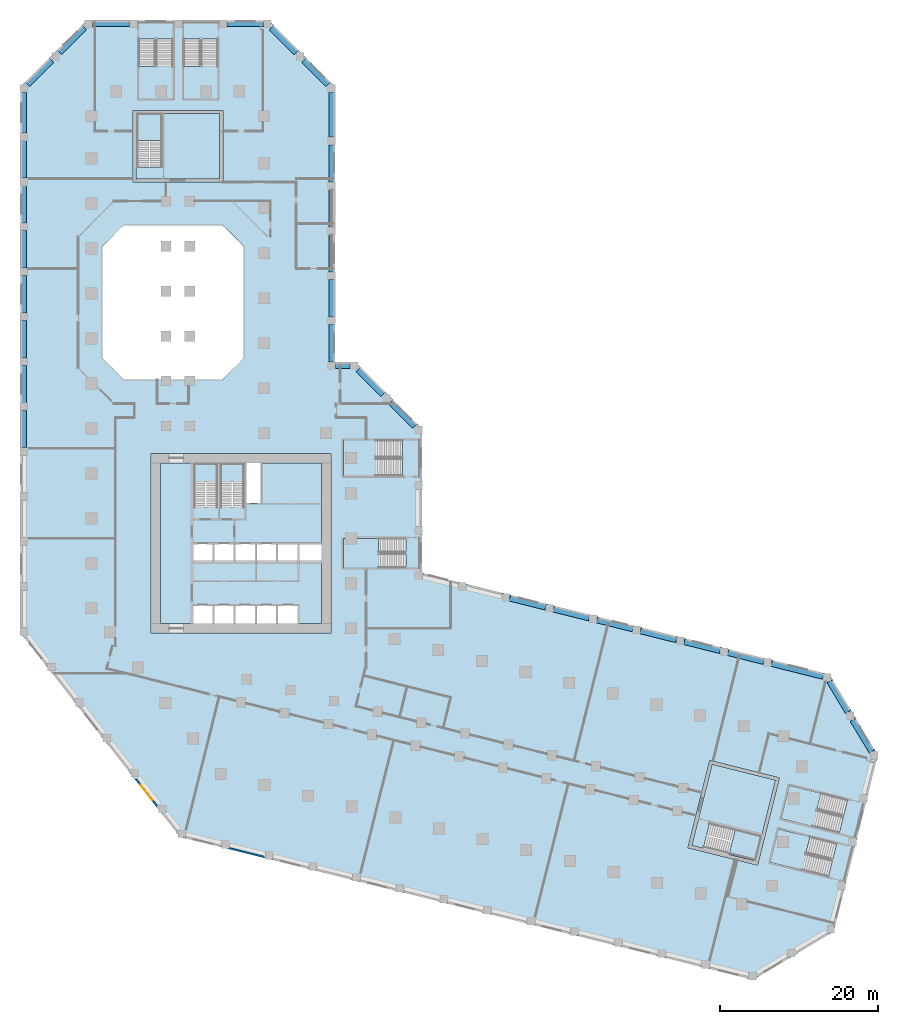
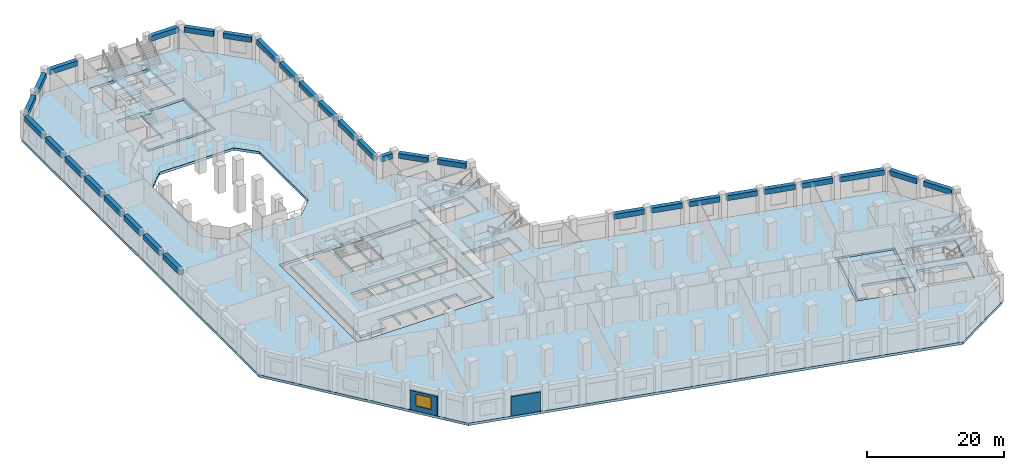
# One storey, part 2 of 16: 32 beams, 14 slabs, 2 walls, 1 window, 1 opening, 10 elements without a shape of their own.
"""IFC4 building model written with IfcOpenShell, lengths in metres."""

from ifc_helpers import new_model, si_unit, direction, frame, frame_2d, origin, origin_2d, place, context, subcontext, project, spatial, polyline, rectangle, outline, extrude, material, layer, layer_set, material_profile, profile_set, type_object, element, fill, aggregate, save


model = new_model("IFC4")

# Units and contexts
model_context = context("Model", 3, precision=1e-05, world=origin(), true_north=direction((0.0, 1.0)))
body_context = subcontext(model_context, "Body", "Model", "MODEL_VIEW")
ifc_project = project(units=[si_unit("LENGTHUNIT", "METRE"), si_unit("AREAUNIT", "SQUARE_METRE"), si_unit("VOLUMEUNIT", "CUBIC_METRE"), si_unit("PLANEANGLEUNIT", "RADIAN"), si_unit("MASSUNIT", "GRAM", prefix="KILO")], contexts=[model_context])

# Site, building, storey
site_placement = place(None, origin())
site = spatial("IfcSite", under=ifc_project, at=site_placement, CompositionType="ELEMENT")
building_placement = place(site_placement, origin())
building = spatial("IfcBuilding", under=site, at=building_placement, Name="Meshkara Civic Tower", CompositionType="ELEMENT")
storey_placement = place(building_placement, frame((0.0, 0.0, 18.60009765625)))
storey = spatial("IfcBuildingStorey", under=building, at=storey_placement, Name="L03", CompositionType="ELEMENT", Elevation=18.60009765625)

# Beams
ifc_material_1 = material(Name="Concrete C60", Category="concrete")
ifc_material_profile = material_profile(ifc_material_1, rectangle(XDim=0.699951171875, YDim=0.89990234375, at=origin_2d()))
ifc_profile_set = profile_set([ifc_material_profile], Name="Concrete C60")
beam_type = type_object("IfcBeamType", Name="Spandrel beam RC 700x900 C60", PredefinedType="BEAM", material=ifc_profile_set)
beam_1_placement = place(storey_placement, frame((30.403564453125, 83.652587890625, 3.89990234375), z_axis=(-0.707135193312, 0.707078367919, 0.0), x_axis=(-0.707078367919, -0.707135193312, 0.0)))
element("IfcBeam", 1, at=beam_1_placement, inside=storey, type_object=beam_type, Name="Spandrel beam PD12-E-PD13-01", PredefinedType="BEAM", context=body_context, shape_type="SweptSolid", body=[
    extrude(rectangle(XDim=0.699951171875, YDim=0.89990234375, at=origin_2d()), origin(), (0.0, 0.0, 1.0), 4.29638671875),
])
beam_2_placement = place(storey_placement, frame((26.37255859375, 87.68359375, 3.89990234375), z_axis=(-0.707134269933, 0.707079291371, 0.0), x_axis=(-0.707079291371, -0.707134269933, 0.0)))
element("IfcBeam", 2, at=beam_2_placement, inside=storey, type_object=beam_type, Name="Spandrel beam PD00-E-PD13-01", PredefinedType="BEAM", context=body_context, shape_type="SweptSolid", body=[
    extrude(rectangle(XDim=0.699951171875, YDim=0.89990234375, at=origin_2d()), origin(), (0.0, 0.0, 1.0), 4.440673828125),
])
beam_3_placement = place(storey_placement, frame((22.240966796875, 91.320068359375, 3.89990234375), z_axis=(-1.0, 0.0, 0.0), x_axis=(0.0, -1.0, 0.0)))
element("IfcBeam", 3, at=beam_3_placement, inside=storey, type_object=beam_type, Name="Spandrel beam PD00-03-PD00-E", PredefinedType="BEAM", context=body_context, shape_type="SweptSolid", body=[
    extrude(rectangle(XDim=0.699951171875, YDim=0.89990234375, at=origin_2d()), origin(), (0.0, 0.0, 1.0), 4.58203125),
])
beam_4_placement = place(storey_placement, frame((5.26904296875, 91.320068359375, 3.89990234375), z_axis=(-1.0, 0.0, 0.0), x_axis=(0.0, -1.0, 0.0)))
element("IfcBeam", 4, at=beam_4_placement, inside=storey, type_object=beam_type, Name="Spandrel beam PD00-00-PD00-01", PredefinedType="BEAM", context=body_context, shape_type="SweptSolid", body=[
    extrude(rectangle(XDim=0.699951171875, YDim=0.89990234375, at=origin_2d()), origin(), (0.0, 0.0, 1.0), 4.7099609375),
])
beam_5_placement = place(storey_placement, frame((-0.4326171875, 90.823486328125, 3.89990234375), z_axis=(-0.707106781187, -0.707106781187, 0.0), x_axis=(0.707106781187, -0.707106781187, 0.0)))
element("IfcBeam", 5, at=beam_5_placement, inside=storey, type_object=beam_type, Name="Spandrel beam PD00-00-PD01-01", PredefinedType="BEAM", context=body_context, shape_type="SweptSolid", body=[
    extrude(rectangle(XDim=0.699951171875, YDim=0.89990234375, at=origin_2d()), origin(), (0.0, 0.0, 1.0), 4.4404296875),
])
beam_6_placement = place(storey_placement, frame((-4.5654296875, 86.6904296875, 3.89990234375), z_axis=(-0.707135193312, -0.707078367919, 0.0), x_axis=(0.707078367919, -0.707135193312, 0.0)))
element("IfcBeam", 6, at=beam_6_placement, inside=storey, type_object=beam_type, Name="Spandrel beam PD01-00-PD01-01", PredefinedType="BEAM", context=body_context, shape_type="SweptSolid", body=[
    extrude(rectangle(XDim=0.699951171875, YDim=0.89990234375, at=origin_2d()), origin(), (0.0, 0.0, 1.0), 4.29638671875),
])
beam_7_placement = place(storey_placement, frame((-8.10009765625, 82.660888671875, 3.89990234375), z_axis=(0.0, -1.0, 0.0), x_axis=(1.0, 0.0, 0.0)))
element("IfcBeam", 7, at=beam_7_placement, inside=storey, type_object=beam_type, Name="Spandrel beam PD01-00-PD02-11", PredefinedType="BEAM", context=body_context, shape_type="SweptSolid", body=[
    extrude(rectangle(XDim=0.699951171875, YDim=0.89990234375, at=origin_2d()), origin(), (0.0, 0.0, 1.0), 5.15478515625),
])
beam_8_placement = place(storey_placement, frame((-8.10009765625, 76.51611328125, 3.89990234375), z_axis=(0.0, -1.0, 0.0), x_axis=(1.0, 0.0, 0.0)))
element("IfcBeam", 8, at=beam_8_placement, inside=storey, type_object=beam_type, Name="Spandrel beam PD02-10-PD02-11", PredefinedType="BEAM", context=body_context, shape_type="SweptSolid", body=[
    extrude(rectangle(XDim=0.699951171875, YDim=0.89990234375, at=origin_2d()), origin(), (0.0, 0.0, 1.0), 4.710205078125),
])
for number, where, z_axis, x_axis, name in (
    (9, (-8.10009765625, 70.81591796875, 3.89990234375), (0.0, -1.0, 0.0), (1.0, 0.0, 0.0), "Spandrel beam PD02-09-PD02-10"),
    (10, (-8.10009765625, 65.115966796875, 3.89990234375), (0.0, -1.0, 0.0), (1.0, 0.0, 0.0), "Spandrel beam PD02-08-PD02-09"),
    (11, (-8.10009765625, 59.416015625, 3.89990234375), (0.0, -1.0, 0.0), (1.0, 0.0, 0.0), "Spandrel beam PD02-07-PD02-08"),
    (12, (-8.10009765625, 53.716064453125, 3.89990234375), (0.0, -1.0, 0.0), (1.0, 0.0, 0.0), "Spandrel beam PD02-06-PD02-07"),
):
    element("IfcBeam", number, at=place(storey_placement, frame(where, z_axis=z_axis, x_axis=x_axis)), inside=storey, type_object=beam_type, Name=name, PredefinedType="BEAM", context=body_context, shape_type="SweptSolid", body=[
        extrude(rectangle(XDim=0.699951171875, YDim=0.89990234375, at=origin_2d()), origin(), (0.0, 0.0, 1.0), 4.7099609375),
    ])
beam_9_placement = place(storey_placement, frame((-8.10009765625, 48.01611328125, 3.89990234375), z_axis=(0.0, -1.0, 0.0), x_axis=(1.0, 0.0, 0.0)))
element("IfcBeam", 13, at=beam_9_placement, inside=storey, type_object=beam_type, Name="Spandrel beam PD02-05-PD02-06", PredefinedType="BEAM", context=body_context, shape_type="SweptSolid", body=[
    extrude(rectangle(XDim=0.699951171875, YDim=0.89990234375, at=origin_2d()), origin(), (0.0, 0.0, 1.0), 4.710205078125),
])
beam_10_placement = place(storey_placement, frame((-8.10009765625, 42.31591796875, 3.89990234375), z_axis=(0.0, -1.0, 0.0), x_axis=(1.0, 0.0, 0.0)))
element("IfcBeam", 14, at=beam_10_placement, inside=storey, type_object=beam_type, Name="Spandrel beam PD02-04-PD02-05", PredefinedType="BEAM", context=body_context, shape_type="SweptSolid", body=[
    extrude(rectangle(XDim=0.699951171875, YDim=0.89990234375, at=origin_2d()), origin(), (0.0, 0.0, 1.0), 4.7099609375),
])
beam_11_placement = place(storey_placement, frame((99.340087890625, -0.915283203125, 3.89990234375), z_axis=(-0.515169292752, 0.857088443398, 0.0), x_axis=(-0.857088443398, -0.515169292752, 0.0)))
element("IfcBeam", 15, at=beam_11_placement, inside=storey, type_object=beam_type, Name="Spandrel beam PD06-E-PD07-01", PredefinedType="BEAM", context=body_context, shape_type="SweptSolid", body=[
    extrude(rectangle(XDim=0.699951171875, YDim=0.89990234375, at=origin_2d()), origin(), (0.0, 0.0, 1.0), 4.689697265625),
])
beam_12_placement = place(storey_placement, frame((96.328125, 4.095703125, 3.89990234375), z_axis=(-0.515175277931, 0.857084845863, 0.0), x_axis=(-0.857084845863, -0.515175277931, 0.0)))
element("IfcBeam", 16, at=beam_12_placement, inside=storey, type_object=beam_type, Name="Spandrel beam PD07-00-PD07-01", PredefinedType="BEAM", context=body_context, shape_type="SweptSolid", body=[
    extrude(rectangle(XDim=0.699951171875, YDim=0.89990234375, at=origin_2d()), origin(), (0.0, 0.0, 1.0), 4.542724609375),
])
beam_13_placement = place(storey_placement, frame((93.19482421875, 8.6083984375, 3.89990234375), z_axis=(-0.97029537184, 0.24192331716, 0.0), x_axis=(-0.24192331716, -0.97029537184, 0.0)))
element("IfcBeam", 17, at=beam_13_placement, inside=storey, type_object=beam_type, Name="Spandrel beam PD07-00-PD08-08", PredefinedType="BEAM", context=body_context, shape_type="SweptSolid", body=[
    extrude(rectangle(XDim=0.699951171875, YDim=0.89990234375, at=origin_2d()), origin(), (0.0, 0.0, 1.0), 6.75537109375),
])
beam_14_placement = place(storey_placement, frame((85.64990234375, 10.489501953125, 3.89990234375), z_axis=(-0.970286590806, 0.241958533023, 0.0), x_axis=(-0.241958533023, -0.970286590806, 0.0)))
element("IfcBeam", 18, at=beam_14_placement, inside=storey, type_object=beam_type, Name="Spandrel beam PD08-07-PD08-08", PredefinedType="BEAM", context=body_context, shape_type="SweptSolid", body=[
    extrude(rectangle(XDim=0.699951171875, YDim=0.89990234375, at=origin_2d()), origin(), (0.0, 0.0, 1.0), 4.6787109375),
])
beam_15_placement = place(storey_placement, frame((80.119873046875, 11.868408203125, 3.89990234375), z_axis=(-0.970298806378, 0.241909541651, 0.0), x_axis=(-0.241909541651, -0.970298806378, 0.0)))
element("IfcBeam", 19, at=beam_15_placement, inside=storey, type_object=beam_type, Name="Spandrel beam PD08-06-PD08-07", PredefinedType="BEAM", context=body_context, shape_type="SweptSolid", body=[
    extrude(rectangle(XDim=0.699951171875, YDim=0.89990234375, at=origin_2d()), origin(), (0.0, 0.0, 1.0), 4.6796875),
])
beam_16_placement = place(storey_placement, frame((74.5888671875, 13.24755859375, 3.89990234375), z_axis=(-0.970249807203, 0.242105992539, 0.0), x_axis=(-0.242105992539, -0.970249807203, 0.0)))
element("IfcBeam", 20, at=beam_16_placement, inside=storey, type_object=beam_type, Name="Spandrel beam PD08-05-PD08-06", PredefinedType="BEAM", context=body_context, shape_type="SweptSolid", body=[
    extrude(rectangle(XDim=0.699951171875, YDim=0.89990234375, at=origin_2d()), origin(), (0.0, 0.0, 1.0), 4.679931640625),
])
beam_17_placement = place(storey_placement, frame((69.057861328125, 14.62744140625, 3.89990234375), z_axis=(-0.970286590806, 0.241958533023, 0.0), x_axis=(-0.241958533023, -0.970286590806, 0.0)))
element("IfcBeam", 21, at=beam_17_placement, inside=storey, type_object=beam_type, Name="Spandrel beam PD08-04-PD08-05", PredefinedType="BEAM", context=body_context, shape_type="SweptSolid", body=[
    extrude(rectangle(XDim=0.699951171875, YDim=0.89990234375, at=origin_2d()), origin(), (0.0, 0.0, 1.0), 4.6787109375),
])
for number, where, z_axis, x_axis, name in (
    (22, (63.52783203125, 16.006591796875, 3.89990234375), (-0.970311050729, 0.24186042428, 0.0), (-0.24186042428, -0.970311050729, 0.0), "Spandrel beam PD08-03-PD08-04"),
    (23, (57.996826171875, 17.385498046875, 3.89990234375), (-0.970298806378, 0.241909541651, 0.0), (-0.241909541651, -0.970298806378, 0.0), "Spandrel beam PD08-02-PD08-03"),
):
    element("IfcBeam", number, at=place(storey_placement, frame(where, z_axis=z_axis, x_axis=x_axis)), inside=storey, type_object=beam_type, Name=name, PredefinedType="BEAM", context=body_context, shape_type="SweptSolid", body=[
        extrude(rectangle(XDim=0.699951171875, YDim=0.89990234375, at=origin_2d()), origin(), (0.0, 0.0, 1.0), 4.6796875),
    ])
beam_18_placement = place(storey_placement, frame((41.403564453125, 40.33251953125, 3.89990234375), z_axis=(-0.707106781187, 0.707106781187, 0.0), x_axis=(-0.707106781187, -0.707106781187, 0.0)))
element("IfcBeam", 24, at=beam_18_placement, inside=storey, type_object=beam_type, Name="Spandrel beam PD09-E-PD10-01", PredefinedType="BEAM", context=body_context, shape_type="SweptSolid", body=[
    extrude(rectangle(XDim=0.699951171875, YDim=0.89990234375, at=origin_2d()), origin(), (0.0, 0.0, 1.0), 4.29638671875),
])
beam_19_placement = place(storey_placement, frame((37.37255859375, 44.363525390625, 3.89990234375), z_axis=(-0.707134269933, 0.707079291371, 0.0), x_axis=(-0.707079291371, -0.707134269933, 0.0)))
element("IfcBeam", 25, at=beam_19_placement, inside=storey, type_object=beam_type, Name="Spandrel beam PD10-01-PD10-E", PredefinedType="BEAM", context=body_context, shape_type="SweptSolid", body=[
    extrude(rectangle(XDim=0.699951171875, YDim=0.89990234375, at=origin_2d()), origin(), (0.0, 0.0, 1.0), 4.440673828125),
])
beam_20_placement = place(storey_placement, frame((33.240966796875, 48.0, 3.89990234375), z_axis=(-1.0, 0.0, 0.0), x_axis=(0.0, -1.0, 0.0)))
element("IfcBeam", 26, at=beam_20_placement, inside=storey, type_object=beam_type, Name="Spandrel beam PD10-E-PD11-00", PredefinedType="BEAM", context=body_context, shape_type="SweptSolid", body=[
    extrude(rectangle(XDim=0.699951171875, YDim=0.89990234375, at=origin_2d()), origin(), (0.0, 0.0, 1.0), 1.845947265625),
])
for number, where, z_axis, x_axis, name in (
    (27, (30.89990234375, 48.4951171875, 3.89990234375), (0.0, 1.0, 0.0), (-1.0, 0.0, 0.0), "Spandrel beam PD11-00-PD12-01"),
    (28, (30.89990234375, 54.195068359375, 3.89990234375), (0.0, 1.0, 0.0), (-1.0, 0.0, 0.0), "Spandrel beam PD12-01-PD12-02"),
    (29, (30.89990234375, 59.89501953125, 3.89990234375), (0.0, 1.0, 0.0), (-1.0, 0.0, 0.0), "Spandrel beam PD12-02-PD12-03"),
    (30, (30.89990234375, 65.594970703125, 3.89990234375), (0.0, 1.0, 0.0), (-1.0, 0.0, 0.0), "Spandrel beam PD12-03-PD12-04"),
    (31, (30.89990234375, 71.294921875, 3.89990234375), (0.0, 1.0, 0.0), (-1.0, 0.0, 0.0), "Spandrel beam PD12-04-PD12-05"),
):
    element("IfcBeam", number, at=place(storey_placement, frame(where, z_axis=z_axis, x_axis=x_axis)), inside=storey, type_object=beam_type, Name=name, PredefinedType="BEAM", context=body_context, shape_type="SweptSolid", body=[
        extrude(rectangle(XDim=0.699951171875, YDim=0.89990234375, at=origin_2d()), origin(), (0.0, 0.0, 1.0), 4.7099609375),
    ])
beam_21_placement = place(storey_placement, frame((30.89990234375, 76.9951171875, 3.89990234375), z_axis=(0.0, 1.0, 0.0), x_axis=(-1.0, 0.0, 0.0)))
element("IfcBeam", 32, at=beam_21_placement, inside=storey, type_object=beam_type, Name="Spandrel beam PD12-05-PD12-E", PredefinedType="BEAM", context=body_context, shape_type="SweptSolid", body=[
    extrude(rectangle(XDim=0.699951171875, YDim=0.89990234375, at=origin_2d()), origin(), (0.0, 0.0, 1.0), 5.665771484375),
])

# Slabs
ifc_material_2 = material(Name="Concrete C40/50", Category="concrete")
ifc_layer_1 = layer(ifc_material_2, 0.449951171875)
ifc_layer_set_1 = layer_set([ifc_layer_1], Name="Core floor slab 450 C40/50")
slab_type_1 = type_object("IfcSlabType", Name="Core floor slab 450 C40/50", PredefinedType="FLOOR", material=ifc_layer_set_1)
slab_1_placement = place(storey_placement, frame((0.0, 0.0, -0.4501953125)))
element("IfcSlab", 33, at=slab_1_placement, inside=storey, type_object=slab_type_1, Name="Core floor K", PredefinedType="FLOOR", context=body_context, shape_type="SweptSolid", body=[
    extrude(outline(polyline([(9.199951171875, 35.699951171875), (13.39990234375, 35.699951171875), (13.39990234375, 30.00146484375), (16.5, 30.00146484375), (16.5, 35.699951171875), (16.699951171875, 35.699951171875), (16.699951171875, 30.00146484375), (19.89990234375, 30.00146484375), (19.89990234375, 35.699951171875), (20.10009765625, 35.699951171875), (20.10009765625, 30.574951171875), (21.925048828125, 30.574951171875), (21.925048828125, 35.699951171875), (29.60009765625, 35.699951171875), (29.60009765625, 25.39990234375), (26.800048828125, 25.39990234375), (26.800048828125, 23.300048828125), (29.60009765625, 23.300048828125), (29.60009765625, 15.300048828125), (26.60009765625, 15.300048828125), (26.60009765625, 17.60009765625), (24.10009765625, 17.60009765625), (24.10009765625, 15.300048828125), (23.89990234375, 15.300048828125), (23.89990234375, 17.60009765625), (21.39990234375, 17.60009765625), (21.39990234375, 15.300048828125), (21.199951171875, 15.300048828125), (21.199951171875, 17.60009765625), (18.699951171875, 17.60009765625), (18.699951171875, 15.300048828125), (18.5, 15.300048828125), (18.5, 17.60009765625), (16.0, 17.60009765625), (16.0, 15.300048828125), (15.800048828125, 15.300048828125), (15.800048828125, 17.60009765625), (13.39990234375, 17.60009765625), (13.39990234375, 15.300048828125), (9.199951171875, 15.300048828125), (9.199951171875, 35.699951171875)]), holes=[polyline([(13.39990234375, 25.39990234375), (13.39990234375, 23.300048828125), (15.800048828125, 23.300048828125), (15.800048828125, 25.39990234375), (13.39990234375, 25.39990234375)]), polyline([(18.5, 23.300048828125), (18.5, 25.39990234375), (16.0, 25.39990234375), (16.0, 23.300048828125), (18.5, 23.300048828125)]), polyline([(18.699951171875, 25.39990234375), (18.699951171875, 23.300048828125), (21.199951171875, 23.300048828125), (21.199951171875, 25.39990234375), (18.699951171875, 25.39990234375)]), polyline([(21.39990234375, 23.300048828125), (23.89990234375, 23.300048828125), (23.89990234375, 25.39990234375), (21.39990234375, 25.39990234375), (21.39990234375, 23.300048828125)]), polyline([(26.60009765625, 25.39990234375), (24.10009765625, 25.39990234375), (24.10009765625, 23.300048828125), (26.60009765625, 23.300048828125), (26.60009765625, 25.39990234375)])]), origin(), (0.0, 0.0, 1.0), 0.4501953125),
])
slab_2_placement = place(storey_placement, frame((0.0, 0.0, -0.4501953125)))
element("IfcSlab", 34, at=slab_2_placement, inside=storey, type_object=slab_type_1, Name="Core floor EA", PredefinedType="FLOOR", context=body_context, shape_type="SweptSolid", body=[
    extrude(outline(polyline([(16.699951171875, 71.669921875), (16.699951171875, 79.969970703125), (9.5, 79.969970703125), (9.5, 73.17138671875), (6.10009765625, 73.17138671875), (6.10009765625, 71.669921875), (16.699951171875, 71.669921875)])), origin(), (0.0, 0.0, 1.0), 0.4501953125),
])
slab_3_placement = place(storey_placement, frame((0.0, 0.0, -0.4501953125)))
element("IfcSlab", 35, at=slab_3_placement, inside=storey, type_object=slab_type_1, Name="Core floor EB", PredefinedType="FLOOR", context=body_context, shape_type="SweptSolid", body=[
    extrude(outline(polyline([(79.11181640625, -2.513671875), (87.165283203125, -4.521484375), (85.423583984375, -11.507568359375), (78.826904296875, -9.863037109375), (78.00439453125, -13.161865234375), (76.547607421875, -12.798583984375), (79.11181640625, -2.513671875)])), origin(), (0.0, 0.0, 1.0), 0.4501953125),
])

# Stair, slab
ifc_material_3 = material(Name="Precast concrete C40/50", Category="concrete")
stair_type_1 = type_object("IfcStairType", Name="Exit stair half-turn 26 risers precast", PredefinedType="HALF_TURN_STAIR", material=ifc_material_3)
stair_1_placement = place(storey_placement, origin())
stair_1 = element("IfcStair", 36, at=stair_1_placement, inside=storey, type_object=stair_type_1, Name="L03 exit stair 1", PredefinedType="HALF_TURN_STAIR")
ifc_material_4 = material(Name="Precast concrete C40/50", Category="concrete")
ifc_layer_2 = layer(ifc_material_4, 0.199951171875)
ifc_layer_set_2 = layer_set([ifc_layer_2], Name="Exit stair landing 200")
slab_type_2 = type_object("IfcSlabType", Name="Exit stair landing 200", PredefinedType="LANDING", material=ifc_layer_set_2)
slab_4_placement = place(storey_placement, frame((0.0, 0.0, 2.199951171875)))
slab_4 = element("IfcSlab", 37, at=slab_4_placement, type_object=slab_type_2, Name="ST1 landing 1", PredefinedType="LANDING", context=body_context, shape_type="SweptSolid", body=[
    extrude(outline(polyline([(16.5, 33.3583984375), (16.5, 35.699951171875), (13.39990234375, 35.699951171875), (13.39990234375, 33.3583984375), (16.5, 33.3583984375)])), origin(), (0.0, 0.0, 1.0), 0.199951171875),
])
aggregate(stair_1, [slab_4])

stair_2_placement = place(storey_placement, origin())
stair_2 = element("IfcStair", 38, at=stair_2_placement, inside=storey, type_object=stair_type_1, Name="L03 exit stair 2", PredefinedType="HALF_TURN_STAIR")
slab_5_placement = place(storey_placement, frame((0.0, 0.0, 2.199951171875)))
slab_5 = element("IfcSlab", 39, at=slab_5_placement, type_object=slab_type_2, Name="ST2 landing 1", PredefinedType="LANDING", context=body_context, shape_type="SweptSolid", body=[
    extrude(outline(polyline([(19.89990234375, 33.3583984375), (19.89990234375, 35.699951171875), (16.699951171875, 35.699951171875), (16.699951171875, 33.3583984375), (19.89990234375, 33.3583984375)])), origin(), (0.0, 0.0, 1.0), 0.199951171875),
])
aggregate(stair_2, [slab_5])

ifc_material_5 = material(Name="Precast concrete C40/50", Category="concrete")
stair_type_2 = type_object("IfcStairType", Name="Exit stair half-turn 26 risers 1500 precast", PredefinedType="HALF_TURN_STAIR", material=ifc_material_5)
stair_3_placement = place(storey_placement, origin())
stair_3 = element("IfcStair", 40, at=stair_3_placement, inside=storey, type_object=stair_type_2, Name="L03 exit stair A from B2", PredefinedType="HALF_TURN_STAIR")
slab_6_placement = place(storey_placement, frame((0.0, 0.0, 2.199951171875)))
slab_6 = element("IfcSlab", 41, at=slab_6_placement, type_object=slab_type_2, Name="ESA1 landing 1", PredefinedType="LANDING", context=body_context, shape_type="SweptSolid", body=[
    extrude(outline(polyline([(9.5, 76.528564453125), (9.5, 79.969970703125), (6.10009765625, 79.969970703125), (6.10009765625, 76.528564453125), (9.5, 76.528564453125)])), origin(), (0.0, 0.0, 1.0), 0.199951171875),
])
aggregate(stair_3, [slab_6])

stair_4_placement = place(storey_placement, origin())
stair_4 = element("IfcStair", 42, at=stair_4_placement, inside=storey, type_object=stair_type_2, Name="L03 exit stair B from B2", PredefinedType="HALF_TURN_STAIR")
slab_7_placement = place(storey_placement, frame((0.0, 0.0, 2.199951171875)))
slab_7 = element("IfcSlab", 43, at=slab_7_placement, type_object=slab_type_2, Name="ESB1 landing 1", PredefinedType="LANDING", context=body_context, shape_type="SweptSolid", body=[
    extrude(outline(polyline([(81.261474609375, -13.974853515625), (84.600830078125, -14.80810546875), (85.424072265625, -11.50830078125), (82.084716796875, -10.675048828125), (81.261474609375, -13.974853515625)])), origin(), (0.0, 0.0, 1.0), 0.199951171875),
])
aggregate(stair_4, [slab_7])

# Slab
ifc_material_6 = material(Name="Concrete C50", Category="concrete")
ifc_layer_3 = layer(ifc_material_6, 0.449951171875)
ifc_layer_set_3 = layer_set([ifc_layer_3], Name="Podium floor slab 450 C50")
slab_type_3 = type_object("IfcSlabType", Name="Podium floor slab 450 C50", PredefinedType="FLOOR", material=ifc_layer_set_3)
slab_8_placement = place(storey_placement, frame((0.0, 0.0, -0.4501953125)))
element("IfcSlab", 44, at=slab_8_placement, inside=storey, type_object=slab_type_3, Name="Podium floor slab L03", PredefinedType="FLOOR", context=body_context, shape_type="SweptSolid", body=[
    extrude(outline(polyline([(33.922119140625, 48.449951171875), (42.35009765625, 40.02197265625), (42.35009765625, 21.7509765625), (93.97998046875, 8.876953125), (100.1201171875, -1.339111328125), (94.544921875, -23.697998046875), (84.327880859375, -29.8369140625), (11.6669921875, -11.720947265625), (-8.550048828125, 14.156005859375), (-8.550048828125, 83.342041015625), (-0.1220703125, 91.77001953125), (22.922119140625, 91.77001953125), (31.35009765625, 83.342041015625), (31.35009765625, 48.449951171875), (33.922119140625, 48.449951171875)]), holes=[polyline([(30.800048828125, 14.10009765625), (30.800048828125, 36.89990234375), (8.0, 36.89990234375), (8.0, 14.10009765625), (30.800048828125, 14.10009765625)]), polyline([(1.800048828125, 48.943115234375), (4.54296875, 46.199951171875), (17.056884765625, 46.199951171875), (19.800048828125, 48.943115234375), (19.800048828125, 63.10693359375), (17.056884765625, 65.85009765625), (4.54296875, 65.85009765625), (1.800048828125, 63.10693359375), (1.800048828125, 48.943115234375)]), polyline([(5.699951171875, 80.3701171875), (5.699951171875, 71.27001953125), (17.10009765625, 71.27001953125), (17.10009765625, 80.3701171875), (5.699951171875, 80.3701171875)]), polyline([(10.784912109375, 81.821044921875), (10.784912109375, 89.4189453125), (6.43505859375, 89.4189453125), (6.43505859375, 81.821044921875), (10.784912109375, 81.821044921875)]), polyline([(16.485107421875, 89.4189453125), (12.135009765625, 89.4189453125), (12.135009765625, 81.821044921875), (16.485107421875, 81.821044921875), (16.485107421875, 89.4189453125)]), polyline([(86.477783203125, -14.929443359375), (93.85009765625, -16.767578125), (94.90234375, -12.546630859375), (87.530029296875, -10.70849609375), (86.477783203125, -14.929443359375)]), polyline([(87.64990234375, -4.22998046875), (78.821044921875, -2.029052734375), (76.06298828125, -13.090087890625), (84.89208984375, -15.2919921875), (87.64990234375, -4.22998046875)]), polyline([(87.856689453125, -9.3984375), (95.22900390625, -11.236572265625), (96.281494140625, -7.015625), (88.9091796875, -5.177490234375), (87.856689453125, -9.3984375)]), polyline([(32.40087890625, 22.375), (40.299072265625, 22.375), (40.299072265625, 26.125), (32.40087890625, 26.125), (32.40087890625, 22.375)]), polyline([(32.40087890625, 34.02490234375), (39.89892578125, 34.02490234375), (39.89892578125, 38.574951171875), (32.40087890625, 38.574951171875), (32.40087890625, 34.02490234375)])]), origin(), (0.0, 0.0, 1.0), 0.4501953125),
])

# Stair, slab
ifc_material_7 = material(Name="Precast concrete C40/50", Category="concrete")
stair_type_3 = type_object("IfcStairType", Name="Podium exit stair half-turn 26 risers 2100 wide precast", PredefinedType="HALF_TURN_STAIR", material=ifc_material_7)
stair_5_placement = place(storey_placement, origin())
stair_5 = element("IfcStair", 45, at=stair_5_placement, inside=storey, type_object=stair_type_3, Name="L03 podium exit stair PS1", PredefinedType="HALF_TURN_STAIR")
ifc_material_8 = material(Name="Precast concrete C40/50", Category="concrete")
ifc_layer_4 = layer(ifc_material_8, 0.199951171875)
ifc_layer_set_4 = layer_set([ifc_layer_4], Name="Podium stair landing 200")
slab_type_4 = type_object("IfcSlabType", Name="Podium stair landing 200", PredefinedType="LANDING", material=ifc_layer_set_4)
slab_9_placement = place(storey_placement, frame((0.0, 0.0, 2.199951171875)))
slab_9 = element("IfcSlab", 46, at=slab_9_placement, type_object=slab_type_4, Name="PS1 landing 1", PredefinedType="LANDING", context=body_context, shape_type="SweptSolid", body=[
    extrude(outline(polyline([(10.784912109375, 81.81005859375), (6.43505859375, 81.81005859375), (6.43505859375, 85.949951171875), (8.68505859375, 85.949951171875), (8.68505859375, 86.93994140625), (10.784912109375, 86.93994140625), (10.784912109375, 81.81005859375)])), origin(), (0.0, 0.0, 1.0), 0.199951171875),
])
aggregate(stair_5, [slab_9])

stair_6_placement = place(storey_placement, origin())
stair_6 = element("IfcStair", 47, at=stair_6_placement, inside=storey, type_object=stair_type_3, Name="L03 podium exit stair PS2", PredefinedType="HALF_TURN_STAIR")
slab_10_placement = place(storey_placement, frame((0.0, 0.0, 2.199951171875)))
slab_10 = element("IfcSlab", 48, at=slab_10_placement, type_object=slab_type_4, Name="PS2 landing 1", PredefinedType="LANDING", context=body_context, shape_type="SweptSolid", body=[
    extrude(outline(polyline([(16.485107421875, 81.81005859375), (12.135009765625, 81.81005859375), (12.135009765625, 85.949951171875), (14.385009765625, 85.949951171875), (14.385009765625, 86.93994140625), (16.485107421875, 86.93994140625), (16.485107421875, 81.81005859375)])), origin(), (0.0, 0.0, 1.0), 0.199951171875),
])
aggregate(stair_6, [slab_10])

stair_7_placement = place(storey_placement, origin())
stair_7 = element("IfcStair", 49, at=stair_7_placement, inside=storey, type_object=stair_type_3, Name="L03 podium exit stair PS3", PredefinedType="HALF_TURN_STAIR")
slab_11_placement = place(storey_placement, frame((0.0, 0.0, 2.199951171875)))
slab_11 = element("IfcSlab", 50, at=slab_11_placement, type_object=slab_type_4, Name="PS3 landing 1", PredefinedType="LANDING", context=body_context, shape_type="SweptSolid", body=[
    extrude(outline(polyline([(91.95263671875, -14.130126953125), (91.444580078125, -16.167724609375), (86.467041015625, -14.9267578125), (87.519287109375, -10.705810546875), (91.53662109375, -11.70751953125), (90.9921875, -13.890625), (91.95263671875, -14.130126953125)])), origin(), (0.0, 0.0, 1.0), 0.199951171875),
])
aggregate(stair_7, [slab_11])

stair_8_placement = place(storey_placement, origin())
stair_8 = element("IfcStair", 51, at=stair_8_placement, inside=storey, type_object=stair_type_3, Name="L03 podium exit stair PS4", PredefinedType="HALF_TURN_STAIR")
slab_12_placement = place(storey_placement, frame((0.0, 0.0, 2.199951171875)))
slab_12 = element("IfcSlab", 52, at=slab_12_placement, type_object=slab_type_4, Name="PS4 landing 1", PredefinedType="LANDING", context=body_context, shape_type="SweptSolid", body=[
    extrude(outline(polyline([(93.331787109375, -8.59912109375), (92.82373046875, -10.63671875), (87.84619140625, -9.395751953125), (88.8984375, -5.1748046875), (92.91552734375, -6.176513671875), (92.37109375, -8.359619140625), (93.331787109375, -8.59912109375)])), origin(), (0.0, 0.0, 1.0), 0.199951171875),
])
aggregate(stair_8, [slab_12])

ifc_material_9 = material(Name="Precast concrete C40/50", Category="concrete")
stair_type_4 = type_object("IfcStairType", Name="Podium exit stair half-turn 26 risers 1800 wide precast", PredefinedType="HALF_TURN_STAIR", material=ifc_material_9)
stair_9_placement = place(storey_placement, origin())
stair_9 = element("IfcStair", 53, at=stair_9_placement, inside=storey, type_object=stair_type_4, Name="L03 podium exit stair PS5", PredefinedType="HALF_TURN_STAIR")
slab_13_placement = place(storey_placement, frame((0.0, 0.0, 2.199951171875)))
slab_13 = element("IfcSlab", 54, at=slab_13_placement, type_object=slab_type_4, Name="PS5 landing 1", PredefinedType="LANDING", context=body_context, shape_type="SweptSolid", body=[
    extrude(outline(polyline([(37.820068359375, 24.175048828125), (37.820068359375, 22.375), (32.389892578125, 22.375), (32.389892578125, 26.125), (36.830078125, 26.125), (36.830078125, 24.175048828125), (37.820068359375, 24.175048828125)])), origin(), (0.0, 0.0, 1.0), 0.199951171875),
])
aggregate(stair_9, [slab_13])

ifc_material_10 = material(Name="Precast concrete C40/50", Category="concrete")
stair_type_5 = type_object("IfcStairType", Name="Podium exit stair half-turn 26 risers 2200 wide precast", PredefinedType="HALF_TURN_STAIR", material=ifc_material_10)
stair_10_placement = place(storey_placement, origin())
stair_10 = element("IfcStair", 55, at=stair_10_placement, inside=storey, type_object=stair_type_5, Name="L03 podium exit stair PS6", PredefinedType="HALF_TURN_STAIR")
slab_14_placement = place(storey_placement, frame((0.0, 0.0, 2.199951171875)))
slab_14 = element("IfcSlab", 56, at=slab_14_placement, type_object=slab_type_4, Name="PS6 landing 1", PredefinedType="LANDING", context=body_context, shape_type="SweptSolid", body=[
    extrude(outline(polyline([(37.419921875, 36.22509765625), (37.419921875, 34.02490234375), (32.389892578125, 34.02490234375), (32.389892578125, 38.574951171875), (36.429931640625, 38.574951171875), (36.429931640625, 36.22509765625), (37.419921875, 36.22509765625)])), origin(), (0.0, 0.0, 1.0), 0.199951171875),
])
aggregate(stair_10, [slab_14])

# Wall, opening, window
ifc_material_11 = material(Name="Stone cladding on insulated backing wall", Category="masonry")
ifc_layer_5 = layer(ifc_material_11, 0.25)
ifc_layer_set_5 = layer_set([ifc_layer_5], Name="PODIUM STONE WALL 250")
wall_type = type_object("IfcWallType", Name="PODIUM STONE WALL 250", PredefinedType="SOLIDWALL", material=ifc_layer_set_5)
wall_1_placement = place(storey_placement, frame((6.113037109375, -4.408935546875, 0.0), z_axis=(0.0, 0.0, 1.0), x_axis=(0.615603242749, -0.788056246417, 0.0)))
wall_1 = element("IfcWall", 57, at=wall_1_placement, inside=storey, type_object=wall_type, Name="Podium external wall", PredefinedType="SOLIDWALL", context=body_context, shape_type="SweptSolid", body=[
    extrude(rectangle(XDim=4.296630859375, YDim=0.25, at=frame_2d((2.1484375, 0.0))), origin(), (0.0, 0.0, 1.0), 3.449951171875),
])
opening_placement = place(wall_1_placement, frame((0.947998046875, 0.0, 0.89990234375)))
opening = element("IfcOpeningElement", 58, at=opening_placement, cuts=wall_1, Name="Opening PW10", PredefinedType="OPENING", context=body_context, shape_type="SweptSolid", body=[
    extrude(rectangle(XDim=2.39990234375, YDim=2.10009765625, at=frame_2d((1.199951171875, 1.050048828125))), frame((0.0, 0.135009765625, 0.0), z_axis=(0.0, -1.0, 0.0), x_axis=(1.0, 0.0, 0.0)), (0.0, 0.0, 1.0), 0.27001953125),
])
ifc_material_12 = material(Name="Tinted double glazing", Category="glass")
window_type = type_object("IfcWindowType", Name="PODIUM WINDOW 2400x2100", PartitioningType="DOUBLE_PANEL_VERTICAL", PredefinedType="WINDOW", material=ifc_material_12)
window_placement = place(opening_placement, origin())
window = element("IfcWindow", 59, at=window_placement, inside=storey, type_object=window_type, Name="Podium window", OverallHeight=2.10009765625, OverallWidth=2.39990234375, PartitioningType="DOUBLE_PANEL_VERTICAL", PredefinedType="WINDOW", context=body_context, shape_type="SweptSolid", body=[
    extrude(rectangle(XDim=2.39990234375, YDim=2.10009765625, at=frame_2d((1.199951171875, 1.050048828125))), frame((0.0, 0.030029296875, 0.0), z_axis=(0.0, -1.0, 0.0), x_axis=(1.0, 0.0, 0.0)), (0.0, 0.0, 1.0), 0.06005859375),
])
fill(opening, window)

# Wall
wall_2_placement = place(storey_placement, frame((17.967041015625, -13.1630859375, 0.0), z_axis=(0.0, 0.0, 1.0), x_axis=(0.970315118421, -0.24184410467, 0.0)))
element("IfcWall", 60, at=wall_2_placement, inside=storey, type_object=wall_type, Name="Podium external wall", PredefinedType="SOLIDWALL", context=body_context, shape_type="SweptSolid", body=[
    extrude(rectangle(XDim=4.486083984375, YDim=0.25, at=frame_2d((2.2431640625, 0.0))), origin(), (0.0, 0.0, 1.0), 3.449951171875),
])

save(model, "model.ifc")
